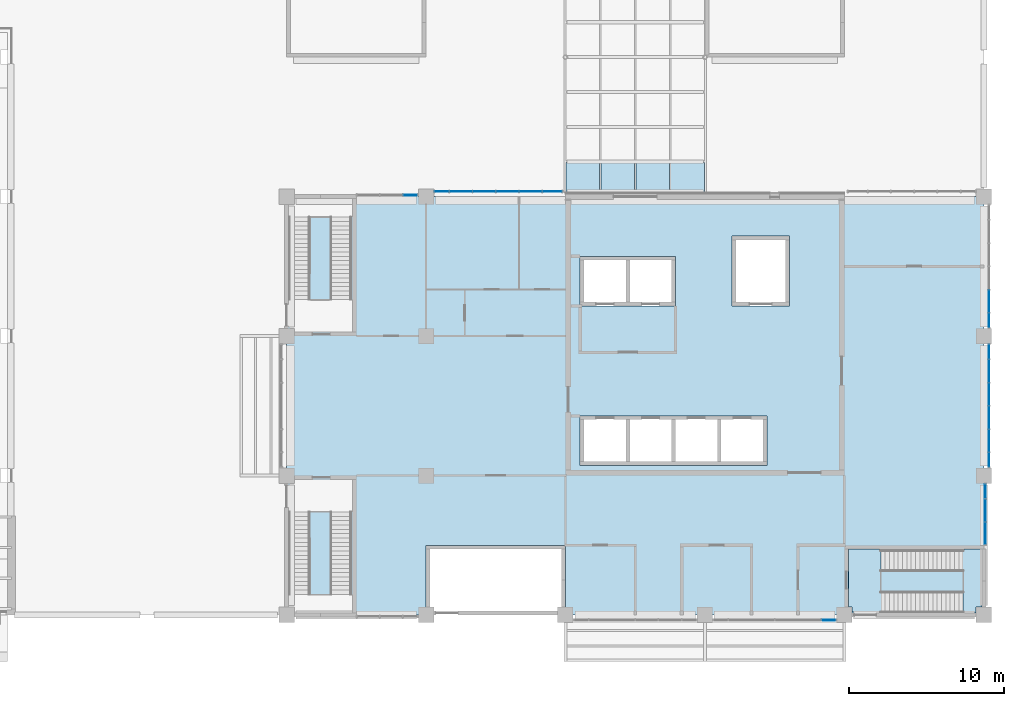
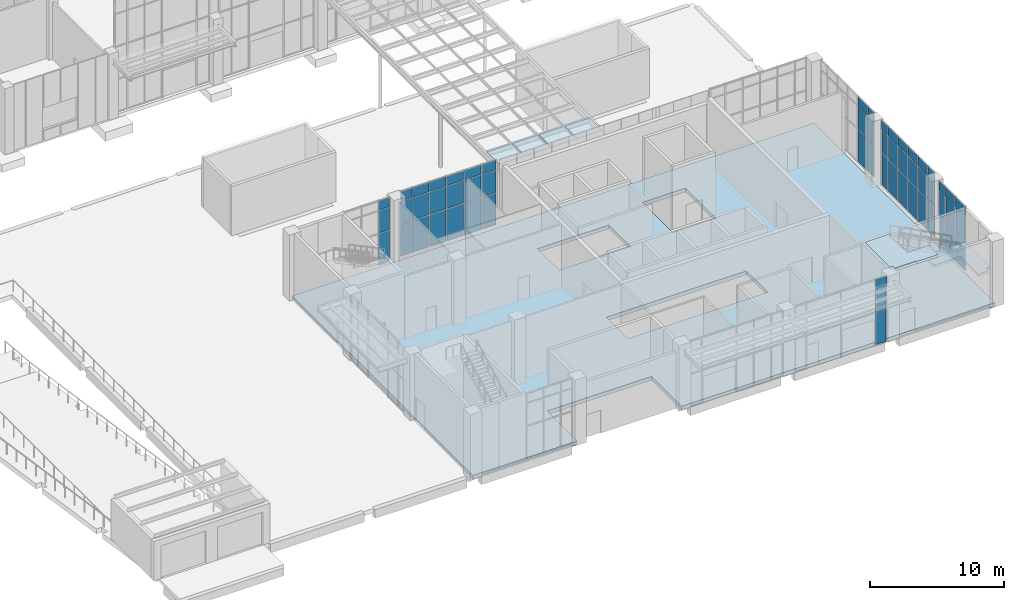
# One storey, part 47 of 86: 61 plates, 3 slabs, 7 elements without a shape of their own.
"""IFC4 building model written with IfcOpenShell, lengths in metres."""

from ifc_helpers import new_model, si_unit, direction, frame, origin, origin_2d, place, context, subcontext, project, spatial, polyline, rectangle, outline, extrude, material, layer, layer_set, type_object, element, aggregate, save


model = new_model("IFC4")

# Units and contexts
model_context = context("Model", 3, precision=1e-05, world=origin(), true_north=direction((0.0, 1.0)))
body_context = subcontext(model_context, "Body", "Model", "MODEL_VIEW")
ifc_project = project(units=[si_unit("LENGTHUNIT", "METRE"), si_unit("AREAUNIT", "SQUARE_METRE"), si_unit("VOLUMEUNIT", "CUBIC_METRE"), si_unit("PLANEANGLEUNIT", "RADIAN"), si_unit("MASSUNIT", "GRAM", prefix="KILO")], contexts=[model_context])

# Site, building, storey
site_placement = place(None, origin())
site = spatial("IfcSite", under=ifc_project, at=site_placement, CompositionType="ELEMENT")
building_placement = place(site_placement, origin())
building = spatial("IfcBuilding", under=site, at=building_placement, Name="Guidao Yard Department Store", CompositionType="ELEMENT")
storey_placement = place(building_placement, origin())
storey = spatial("IfcBuildingStorey", under=building, at=storey_placement, Name="L00", CompositionType="ELEMENT", Elevation=0.0)

# Plates
ifc_material_1 = material(Name="Laminated glass", Category="glass")
ifc_layer_1 = layer(ifc_material_1, 0.021484375)
ifc_layer_set_1 = layer_set([ifc_layer_1], Name="Canopy glass CG1 laminated 10+10")
plate_type_1 = type_object("IfcPlateType", Name="Canopy glass CG1 laminated 10+10", PredefinedType="SHEET", material=ifc_layer_set_1)
for number, where, z_axis, x_axis, name in (
    (1, (145.125, 28.25, 5.449951171875), (0.0, 0.0, 1.0), (1.0, 0.0, 0.0), "Yard walkway glazing 1.1"),
    (2, (147.375, 28.25, 5.449951171875), (0.0, 0.0, 1.0), (1.0, 0.0, 0.0), "Yard walkway glazing 2.1"),
    (3, (149.625, 28.25, 5.449951171875), (0.0, 0.0, 1.0), (1.0, 0.0, 0.0), "Yard walkway glazing 3.1"),
    (4, (151.875, 28.25, 5.449951171875), (0.0, 0.0, 1.0), (1.0, 0.0, 0.0), "Yard walkway glazing 4.1"),
):
    element("IfcPlate", number, at=place(storey_placement, frame(where, z_axis=z_axis, x_axis=x_axis)), inside=storey, type_object=plate_type_1, Name=name, PredefinedType="SHEET", context=body_context, shape_type="SweptSolid", body=[
        extrude(rectangle(XDim=2.169921875, YDim=1.919921875, at=origin_2d()), origin(), (0.0, 0.0, 1.0), 0.021484375),
    ])

# Slab
ifc_material_2 = material(Name="Concrete C35", Category="concrete")
ifc_layer_2 = layer(ifc_material_2, 0.35009765625)
ifc_layer_set_2 = layer_set([ifc_layer_2], Name="Flat slab 350 C35")
slab_type_1 = type_object("IfcSlabType", Name="Flat slab 350 C35", PredefinedType="FLOOR", material=ifc_layer_set_2)
slab_1_placement = place(storey_placement, frame((0.0, 0.0, -0.35009765625)))
element("IfcSlab", 5, at=slab_1_placement, inside=storey, type_object=slab_type_1, Name="Slab L00-O", PredefinedType="FLOOR", context=body_context, shape_type="SweptSolid", body=[
    extrude(outline(polyline([(126.0, 27.0), (171.0, 27.0), (171.0, 0.0), (144.0, 0.0), (144.0, 4.5), (135.0, 4.5), (135.0, 0.0), (126.0, 0.0), (126.0, 27.0)]), holes=[polyline([(148.14990234375, 12.85009765625), (147.89990234375, 12.85009765625), (144.949951171875, 12.85009765625), (144.949951171875, 9.64990234375), (147.89990234375, 9.64990234375), (148.14990234375, 9.64990234375), (150.85009765625, 9.64990234375), (151.10009765625, 9.64990234375), (153.800048828125, 9.64990234375), (154.050048828125, 9.64990234375), (157.0, 9.64990234375), (157.0, 12.85009765625), (154.050048828125, 12.85009765625), (153.800048828125, 12.85009765625), (151.10009765625, 12.85009765625), (150.85009765625, 12.85009765625), (148.14990234375, 12.85009765625)]), polyline([(147.89990234375, 19.949951171875), (148.14990234375, 19.949951171875), (151.10009765625, 19.949951171875), (151.10009765625, 23.14990234375), (148.14990234375, 23.14990234375), (147.89990234375, 23.14990234375), (144.949951171875, 23.14990234375), (144.949951171875, 19.949951171875), (147.89990234375, 19.949951171875)]), polyline([(154.75, 19.949951171875), (158.449951171875, 19.949951171875), (158.449951171875, 24.449951171875), (154.75, 24.449951171875), (154.75, 19.949951171875)])]), origin(), (0.0, 0.0, 1.0), 0.35009765625),
])

# Curtain wall, plate
ifc_material_3 = material(Name="Aluminium and glass", Category="aluminium")
ifc_layer_3 = layer(ifc_material_3, 0.159912109375)
ifc_layer_set_3 = layer_set([ifc_layer_3], Name="Unitised curtain wall CW4 1500 module")
curtain_wall_type = type_object("IfcCurtainWallType", Name="Unitised curtain wall CW4 1500 module", PredefinedType="NOTDEFINED", material=ifc_layer_set_3)
curtain_wall_1_placement = place(storey_placement, origin())
curtain_wall_1 = element("IfcCurtainWall", 6, at=curtain_wall_1_placement, inside=storey, type_object=curtain_wall_type, Name="Unitised curtain wall", PredefinedType="NOTDEFINED")
ifc_material_4 = material(Name="Aluminium 6063-T5 faced insulated spandrel", Category="aluminium")
ifc_layer_4 = layer(ifc_material_4, 0.06005859375)
ifc_layer_set_4 = layer_set([ifc_layer_4], Name="Spandrel panel SP1 insulated opaque")
plate_type_2 = type_object("IfcPlateType", Name="Spandrel panel SP1 insulated opaque", PredefinedType="CURTAIN_PANEL", material=ifc_layer_set_4)
plate_1_placement = place(storey_placement, frame((160.985107421875, -0.330078125, 5.1298828125), z_axis=(0.0, 0.0, 1.0), x_axis=(-1.0, 0.0, 0.0)))
plate_1 = element("IfcPlate", 7, at=plate_1_placement, type_object=plate_type_2, Name="CW-OW-L00-03 panel 4.3", PredefinedType="CURTAIN_PANEL", context=body_context, shape_type="SweptSolid", body=[
    extrude(rectangle(XDim=0.909912109375, YDim=0.06005859375, at=origin_2d()), origin(), (0.0, 0.0, 1.0), 0.81005859375),
])

curtain_wall_2_placement = place(storey_placement, origin())
curtain_wall_2 = element("IfcCurtainWall", 8, at=curtain_wall_2_placement, inside=storey, type_object=curtain_wall_type, Name="Unitised curtain wall", PredefinedType="NOTDEFINED")
plate_2_placement = place(storey_placement, frame((133.985107421875, 27.10009765625, 5.1298828125), z_axis=(0.0, 0.0, 1.0), x_axis=(1.0, 0.0, 0.0)))
plate_2 = element("IfcPlate", 9, at=plate_2_placement, type_object=plate_type_2, Name="CW-OW-L00-05 panel 3.3", PredefinedType="CURTAIN_PANEL", context=body_context, shape_type="SweptSolid", body=[
    extrude(rectangle(XDim=0.909912109375, YDim=0.06005859375, at=origin_2d()), origin(), (0.0, 0.0, 1.0), 0.81005859375),
])

# Curtain wall, plates
curtain_wall_3_placement = place(storey_placement, origin())
curtain_wall_3 = element("IfcCurtainWall", 10, at=curtain_wall_3_placement, inside=storey, type_object=curtain_wall_type, Name="Unitised curtain wall", PredefinedType="NOTDEFINED")
plate_3_placement = place(storey_placement, frame((136.014892578125, 27.330078125, 5.1298828125), z_axis=(0.0, 0.0, 1.0), x_axis=(1.0, 0.0, 0.0)))
plate_3 = element("IfcPlate", 11, at=plate_3_placement, type_object=plate_type_2, Name="CW-OW-L00-06 panel 1.3", PredefinedType="CURTAIN_PANEL", context=body_context, shape_type="SweptSolid", body=[
    extrude(rectangle(XDim=0.909912109375, YDim=0.06005859375, at=origin_2d()), origin(), (0.0, 0.0, 1.0), 0.81005859375),
])
plate_4_placement = place(storey_placement, frame((137.25, 27.330078125, 5.1298828125), z_axis=(0.0, 0.0, 1.0), x_axis=(1.0, 0.0, 0.0)))
plate_4 = element("IfcPlate", 12, at=plate_4_placement, type_object=plate_type_2, Name="CW-OW-L00-06 panel 2.3", PredefinedType="CURTAIN_PANEL", context=body_context, shape_type="SweptSolid", body=[
    extrude(rectangle(XDim=1.43994140625, YDim=0.06005859375, at=origin_2d()), origin(), (0.0, 0.0, 1.0), 0.81005859375),
])
plate_5_placement = place(storey_placement, frame((138.75, 27.330078125, 5.1298828125), z_axis=(0.0, 0.0, 1.0), x_axis=(1.0, 0.0, 0.0)))
plate_5 = element("IfcPlate", 13, at=plate_5_placement, type_object=plate_type_2, Name="CW-OW-L00-06 panel 3.3", PredefinedType="CURTAIN_PANEL", context=body_context, shape_type="SweptSolid", body=[
    extrude(rectangle(XDim=1.43994140625, YDim=0.06005859375, at=origin_2d()), origin(), (0.0, 0.0, 1.0), 0.81005859375),
])
plate_6_placement = place(storey_placement, frame((140.25, 27.330078125, 5.1298828125), z_axis=(0.0, 0.0, 1.0), x_axis=(1.0, 0.0, 0.0)))
plate_6 = element("IfcPlate", 14, at=plate_6_placement, type_object=plate_type_2, Name="CW-OW-L00-06 panel 4.3", PredefinedType="CURTAIN_PANEL", context=body_context, shape_type="SweptSolid", body=[
    extrude(rectangle(XDim=1.43994140625, YDim=0.06005859375, at=origin_2d()), origin(), (0.0, 0.0, 1.0), 0.81005859375),
])
plate_7_placement = place(storey_placement, frame((141.75, 27.330078125, 5.1298828125), z_axis=(0.0, 0.0, 1.0), x_axis=(1.0, 0.0, 0.0)))
plate_7 = element("IfcPlate", 15, at=plate_7_placement, type_object=plate_type_2, Name="CW-OW-L00-06 panel 5.3", PredefinedType="CURTAIN_PANEL", context=body_context, shape_type="SweptSolid", body=[
    extrude(rectangle(XDim=1.43994140625, YDim=0.06005859375, at=origin_2d()), origin(), (0.0, 0.0, 1.0), 0.81005859375),
])
plate_8_placement = place(storey_placement, frame((143.1474609375, 27.330078125, 5.1298828125), z_axis=(0.0, 0.0, 1.0), x_axis=(1.0, 0.0, 0.0)))
plate_8 = element("IfcPlate", 16, at=plate_8_placement, type_object=plate_type_2, Name="CW-OW-L00-06 panel 6.3", PredefinedType="CURTAIN_PANEL", context=body_context, shape_type="SweptSolid", body=[
    extrude(rectangle(XDim=1.235107421875, YDim=0.06005859375, at=origin_2d()), origin(), (0.0, 0.0, 1.0), 0.81005859375),
])

curtain_wall_4_placement = place(storey_placement, origin())
curtain_wall_4 = element("IfcCurtainWall", 17, at=curtain_wall_4_placement, inside=storey, type_object=curtain_wall_type, Name="Unitised curtain wall", PredefinedType="NOTDEFINED")
plate_9_placement = place(storey_placement, frame((171.10009765625, 5.264892578125, 5.1298828125), z_axis=(0.0, 0.0, 1.0), x_axis=(0.0, -1.0, 0.0)))
plate_9 = element("IfcPlate", 18, at=plate_9_placement, type_object=plate_type_2, Name="CW-OW-L00-08 panel 1.3", PredefinedType="CURTAIN_PANEL", context=body_context, shape_type="SweptSolid", body=[
    extrude(rectangle(XDim=1.409912109375, YDim=0.06005859375, at=origin_2d()), origin(), (0.0, 0.0, 1.0), 0.81005859375),
])
plate_10_placement = place(storey_placement, frame((171.10009765625, 6.75, 5.1298828125), z_axis=(0.0, 0.0, 1.0), x_axis=(0.0, -1.0, 0.0)))
plate_10 = element("IfcPlate", 19, at=plate_10_placement, type_object=plate_type_2, Name="CW-OW-L00-08 panel 2.3", PredefinedType="CURTAIN_PANEL", context=body_context, shape_type="SweptSolid", body=[
    extrude(rectangle(XDim=1.43994140625, YDim=0.06005859375, at=origin_2d()), origin(), (0.0, 0.0, 1.0), 0.81005859375),
])
plate_11_placement = place(storey_placement, frame((171.10009765625, 7.985107421875, 5.1298828125), z_axis=(0.0, 0.0, 1.0), x_axis=(0.0, -1.0, 0.0)))
plate_11 = element("IfcPlate", 20, at=plate_11_placement, type_object=plate_type_2, Name="CW-OW-L00-08 panel 3.3", PredefinedType="CURTAIN_PANEL", context=body_context, shape_type="SweptSolid", body=[
    extrude(rectangle(XDim=0.909912109375, YDim=0.06005859375, at=origin_2d()), origin(), (0.0, 0.0, 1.0), 0.81005859375),
])

curtain_wall_5_placement = place(storey_placement, origin())
curtain_wall_5 = element("IfcCurtainWall", 21, at=curtain_wall_5_placement, inside=storey, type_object=curtain_wall_type, Name="Unitised curtain wall", PredefinedType="NOTDEFINED")
plate_12_placement = place(storey_placement, frame((171.330078125, 10.014892578125, 5.1298828125), z_axis=(0.0, 0.0, 1.0), x_axis=(0.0, -1.0, 0.0)))
plate_12 = element("IfcPlate", 22, at=plate_12_placement, type_object=plate_type_2, Name="CW-OW-L00-09 panel 1.3", PredefinedType="CURTAIN_PANEL", context=body_context, shape_type="SweptSolid", body=[
    extrude(rectangle(XDim=0.909912109375, YDim=0.06005859375, at=origin_2d()), origin(), (0.0, 0.0, 1.0), 0.81005859375),
])
plate_13_placement = place(storey_placement, frame((171.330078125, 11.25, 5.1298828125), z_axis=(0.0, 0.0, 1.0), x_axis=(0.0, -1.0, 0.0)))
plate_13 = element("IfcPlate", 23, at=plate_13_placement, type_object=plate_type_2, Name="CW-OW-L00-09 panel 2.3", PredefinedType="CURTAIN_PANEL", context=body_context, shape_type="SweptSolid", body=[
    extrude(rectangle(XDim=1.43994140625, YDim=0.06005859375, at=origin_2d()), origin(), (0.0, 0.0, 1.0), 0.81005859375),
])
plate_14_placement = place(storey_placement, frame((171.330078125, 12.75, 5.1298828125), z_axis=(0.0, 0.0, 1.0), x_axis=(0.0, -1.0, 0.0)))
plate_14 = element("IfcPlate", 24, at=plate_14_placement, type_object=plate_type_2, Name="CW-OW-L00-09 panel 3.3", PredefinedType="CURTAIN_PANEL", context=body_context, shape_type="SweptSolid", body=[
    extrude(rectangle(XDim=1.43994140625, YDim=0.06005859375, at=origin_2d()), origin(), (0.0, 0.0, 1.0), 0.81005859375),
])
plate_15_placement = place(storey_placement, frame((171.330078125, 14.25, 5.1298828125), z_axis=(0.0, 0.0, 1.0), x_axis=(0.0, -1.0, 0.0)))
plate_15 = element("IfcPlate", 25, at=plate_15_placement, type_object=plate_type_2, Name="CW-OW-L00-09 panel 4.3", PredefinedType="CURTAIN_PANEL", context=body_context, shape_type="SweptSolid", body=[
    extrude(rectangle(XDim=1.43994140625, YDim=0.06005859375, at=origin_2d()), origin(), (0.0, 0.0, 1.0), 0.81005859375),
])
plate_16_placement = place(storey_placement, frame((171.330078125, 15.75, 5.1298828125), z_axis=(0.0, 0.0, 1.0), x_axis=(0.0, -1.0, 0.0)))
plate_16 = element("IfcPlate", 26, at=plate_16_placement, type_object=plate_type_2, Name="CW-OW-L00-09 panel 5.3", PredefinedType="CURTAIN_PANEL", context=body_context, shape_type="SweptSolid", body=[
    extrude(rectangle(XDim=1.43994140625, YDim=0.06005859375, at=origin_2d()), origin(), (0.0, 0.0, 1.0), 0.81005859375),
])
plate_17_placement = place(storey_placement, frame((171.330078125, 16.985107421875, 5.1298828125), z_axis=(0.0, 0.0, 1.0), x_axis=(0.0, -1.0, 0.0)))
plate_17 = element("IfcPlate", 27, at=plate_17_placement, type_object=plate_type_2, Name="CW-OW-L00-09 panel 6.3", PredefinedType="CURTAIN_PANEL", context=body_context, shape_type="SweptSolid", body=[
    extrude(rectangle(XDim=0.909912109375, YDim=0.06005859375, at=origin_2d()), origin(), (0.0, 0.0, 1.0), 0.81005859375),
])

curtain_wall_6_placement = place(storey_placement, origin())
curtain_wall_6 = element("IfcCurtainWall", 28, at=curtain_wall_6_placement, inside=storey, type_object=curtain_wall_type, Name="Unitised curtain wall", PredefinedType="NOTDEFINED")
plate_18_placement = place(storey_placement, frame((171.330078125, 19.014892578125, 5.1298828125), z_axis=(0.0, 0.0, 1.0), x_axis=(0.0, -1.0, 0.0)))
plate_18 = element("IfcPlate", 29, at=plate_18_placement, type_object=plate_type_2, Name="CW-OW-L00-10 panel 1.3", PredefinedType="CURTAIN_PANEL", context=body_context, shape_type="SweptSolid", body=[
    extrude(rectangle(XDim=0.909912109375, YDim=0.06005859375, at=origin_2d()), origin(), (0.0, 0.0, 1.0), 0.81005859375),
])
plate_19_placement = place(storey_placement, frame((171.330078125, 20.25, 5.1298828125), z_axis=(0.0, 0.0, 1.0), x_axis=(0.0, -1.0, 0.0)))
plate_19 = element("IfcPlate", 30, at=plate_19_placement, type_object=plate_type_2, Name="CW-OW-L00-10 panel 2.3", PredefinedType="CURTAIN_PANEL", context=body_context, shape_type="SweptSolid", body=[
    extrude(rectangle(XDim=1.43994140625, YDim=0.06005859375, at=origin_2d()), origin(), (0.0, 0.0, 1.0), 0.81005859375),
])

# Stair, slabs
ifc_material_5 = material(Name="Concrete C35", Category="concrete")
stair_type = type_object("IfcStairType", Name="Stair half-turn two-flight 1400 wide 6.0 m rise", PredefinedType="HALF_TURN_STAIR", material=ifc_material_5)
stair_placement = place(storey_placement, origin())
stair = element("IfcStair", 31, at=stair_placement, inside=storey, type_object=stair_type, Name="Stair O2 L00 to L01", PredefinedType="HALF_TURN_STAIR")
ifc_material_6 = material(Name="Concrete C35", Category="concrete")
ifc_layer_5 = layer(ifc_material_6, 0.25)
ifc_layer_set_5 = layer_set([ifc_layer_5], Name="Stair landing RC 250 C35")
slab_type_2 = type_object("IfcSlabType", Name="Stair landing RC 250 C35", PredefinedType="LANDING", material=ifc_layer_set_5)
slab_2_placement = place(storey_placement, frame((0.0, 0.0, 2.75)))
slab_2 = element("IfcSlab", 32, at=slab_2_placement, type_object=slab_type_2, Name="SO2-L00 landing 1", PredefinedType="LANDING", context=body_context, shape_type="SweptSolid", body=[
    extrude(outline(polyline([(169.669921875, 1.52490234375), (169.669921875, 2.800048828125), (167.39208984375, 2.800048828125), (167.39208984375, 4.199951171875), (169.669921875, 4.199951171875), (169.669921875, 4.25), (170.875, 4.25), (170.875, 0.5), (170.5, 0.5), (170.5, 0.125), (169.669921875, 0.125), (169.659912109375, 0.125), (169.659912109375, 1.52490234375), (169.669921875, 1.52490234375)])), origin(), (0.0, 0.0, 1.0), 0.25),
])
slab_3_placement = place(storey_placement, frame((0.0, 0.0, 5.75)))
slab_3 = element("IfcSlab", 33, at=slab_3_placement, type_object=slab_type_2, Name="SO2-L00 landing 2", PredefinedType="LANDING", context=body_context, shape_type="SweptSolid", body=[
    extrude(outline(polyline([(164.35009765625, 0.125), (164.35009765625, 0.199951171875), (162.5, 0.199951171875), (162.5, 0.5), (162.25, 0.5), (162.25, 2.800048828125), (162.25, 4.25), (164.360107421875, 4.25), (164.360107421875, 2.800048828125), (164.35009765625, 2.800048828125), (164.35009765625, 1.52490234375), (166.179931640625, 1.52490234375), (166.179931640625, 0.125), (164.35009765625, 0.125)])), origin(), (0.0, 0.0, 1.0), 0.25),
])
aggregate(stair, [slab_2, slab_3])

# Plate
ifc_material_7 = material(Name="Laminated heat-soaked tempered glass", Category="glass")
ifc_layer_6 = layer(ifc_material_7, 0.017578125)
ifc_layer_set_6 = layer_set([ifc_layer_6], Name="Vision glass VG1 laminated heat-soaked tempered 8+8")
plate_type_3 = type_object("IfcPlateType", Name="Vision glass VG1 laminated heat-soaked tempered 8+8", PredefinedType="CURTAIN_PANEL", material=ifc_layer_set_6)
plate_20_placement = place(storey_placement, frame((160.985107421875, -0.330078125, 0.06005859375), z_axis=(0.0, 0.0, 1.0), x_axis=(-1.0, 0.0, 0.0)))
plate_20 = element("IfcPlate", 34, at=plate_20_placement, type_object=plate_type_3, Name="CW-OW-L00-03 panel 4.1", PredefinedType="CURTAIN_PANEL", context=body_context, shape_type="SweptSolid", body=[
    extrude(rectangle(XDim=0.909912109375, YDim=0.017578125, at=origin_2d()), origin(), (0.0, 0.0, 1.0), 2.909912109375),
])

plate_21_placement = place(storey_placement, frame((160.985107421875, -0.330078125, 3.030029296875), z_axis=(0.0, 0.0, 1.0), x_axis=(-1.0, 0.0, 0.0)))
plate_21 = element("IfcPlate", 35, at=plate_21_placement, type_object=plate_type_3, Name="CW-OW-L00-03 panel 4.2", PredefinedType="CURTAIN_PANEL", context=body_context, shape_type="SweptSolid", body=[
    extrude(rectangle(XDim=0.909912109375, YDim=0.017578125, at=origin_2d()), origin(), (0.0, 0.0, 1.0), 2.0400390625),
])

aggregate(curtain_wall_1, [plate_20, plate_21, plate_1])

plate_22_placement = place(storey_placement, frame((133.985107421875, 27.10009765625, 0.06005859375), z_axis=(0.0, 0.0, 1.0), x_axis=(1.0, 0.0, 0.0)))
plate_22 = element("IfcPlate", 36, at=plate_22_placement, type_object=plate_type_3, Name="CW-OW-L00-05 panel 3.1", PredefinedType="CURTAIN_PANEL", context=body_context, shape_type="SweptSolid", body=[
    extrude(rectangle(XDim=0.909912109375, YDim=0.017578125, at=origin_2d()), origin(), (0.0, 0.0, 1.0), 2.909912109375),
])

plate_23_placement = place(storey_placement, frame((133.985107421875, 27.10009765625, 3.030029296875), z_axis=(0.0, 0.0, 1.0), x_axis=(1.0, 0.0, 0.0)))
plate_23 = element("IfcPlate", 37, at=plate_23_placement, type_object=plate_type_3, Name="CW-OW-L00-05 panel 3.2", PredefinedType="CURTAIN_PANEL", context=body_context, shape_type="SweptSolid", body=[
    extrude(rectangle(XDim=0.909912109375, YDim=0.017578125, at=origin_2d()), origin(), (0.0, 0.0, 1.0), 2.0400390625),
])

aggregate(curtain_wall_2, [plate_22, plate_23, plate_2])

plate_24_placement = place(storey_placement, frame((136.014892578125, 27.330078125, 0.06005859375), z_axis=(0.0, 0.0, 1.0), x_axis=(1.0, 0.0, 0.0)))
plate_24 = element("IfcPlate", 38, at=plate_24_placement, type_object=plate_type_3, Name="CW-OW-L00-06 panel 1.1", PredefinedType="CURTAIN_PANEL", context=body_context, shape_type="SweptSolid", body=[
    extrude(rectangle(XDim=0.909912109375, YDim=0.017578125, at=origin_2d()), origin(), (0.0, 0.0, 1.0), 2.909912109375),
])

plate_25_placement = place(storey_placement, frame((136.014892578125, 27.330078125, 3.030029296875), z_axis=(0.0, 0.0, 1.0), x_axis=(1.0, 0.0, 0.0)))
plate_25 = element("IfcPlate", 39, at=plate_25_placement, type_object=plate_type_3, Name="CW-OW-L00-06 panel 1.2", PredefinedType="CURTAIN_PANEL", context=body_context, shape_type="SweptSolid", body=[
    extrude(rectangle(XDim=0.909912109375, YDim=0.017578125, at=origin_2d()), origin(), (0.0, 0.0, 1.0), 2.0400390625),
])

plate_26_placement = place(storey_placement, frame((137.25, 27.330078125, 0.06005859375), z_axis=(0.0, 0.0, 1.0), x_axis=(1.0, 0.0, 0.0)))
plate_26 = element("IfcPlate", 40, at=plate_26_placement, type_object=plate_type_3, Name="CW-OW-L00-06 panel 2.1", PredefinedType="CURTAIN_PANEL", context=body_context, shape_type="SweptSolid", body=[
    extrude(rectangle(XDim=1.43994140625, YDim=0.017578125, at=origin_2d()), origin(), (0.0, 0.0, 1.0), 2.909912109375),
])

plate_27_placement = place(storey_placement, frame((137.25, 27.330078125, 3.030029296875), z_axis=(0.0, 0.0, 1.0), x_axis=(1.0, 0.0, 0.0)))
plate_27 = element("IfcPlate", 41, at=plate_27_placement, type_object=plate_type_3, Name="CW-OW-L00-06 panel 2.2", PredefinedType="CURTAIN_PANEL", context=body_context, shape_type="SweptSolid", body=[
    extrude(rectangle(XDim=1.43994140625, YDim=0.017578125, at=origin_2d()), origin(), (0.0, 0.0, 1.0), 2.0400390625),
])

plate_28_placement = place(storey_placement, frame((138.75, 27.330078125, 0.06005859375), z_axis=(0.0, 0.0, 1.0), x_axis=(1.0, 0.0, 0.0)))
plate_28 = element("IfcPlate", 42, at=plate_28_placement, type_object=plate_type_3, Name="CW-OW-L00-06 panel 3.1", PredefinedType="CURTAIN_PANEL", context=body_context, shape_type="SweptSolid", body=[
    extrude(rectangle(XDim=1.43994140625, YDim=0.017578125, at=origin_2d()), origin(), (0.0, 0.0, 1.0), 2.909912109375),
])

plate_29_placement = place(storey_placement, frame((138.75, 27.330078125, 3.030029296875), z_axis=(0.0, 0.0, 1.0), x_axis=(1.0, 0.0, 0.0)))
plate_29 = element("IfcPlate", 43, at=plate_29_placement, type_object=plate_type_3, Name="CW-OW-L00-06 panel 3.2", PredefinedType="CURTAIN_PANEL", context=body_context, shape_type="SweptSolid", body=[
    extrude(rectangle(XDim=1.43994140625, YDim=0.017578125, at=origin_2d()), origin(), (0.0, 0.0, 1.0), 2.0400390625),
])

plate_30_placement = place(storey_placement, frame((140.25, 27.330078125, 0.06005859375), z_axis=(0.0, 0.0, 1.0), x_axis=(1.0, 0.0, 0.0)))
plate_30 = element("IfcPlate", 44, at=plate_30_placement, type_object=plate_type_3, Name="CW-OW-L00-06 panel 4.1", PredefinedType="CURTAIN_PANEL", context=body_context, shape_type="SweptSolid", body=[
    extrude(rectangle(XDim=1.43994140625, YDim=0.017578125, at=origin_2d()), origin(), (0.0, 0.0, 1.0), 2.909912109375),
])

plate_31_placement = place(storey_placement, frame((140.25, 27.330078125, 3.030029296875), z_axis=(0.0, 0.0, 1.0), x_axis=(1.0, 0.0, 0.0)))
plate_31 = element("IfcPlate", 45, at=plate_31_placement, type_object=plate_type_3, Name="CW-OW-L00-06 panel 4.2", PredefinedType="CURTAIN_PANEL", context=body_context, shape_type="SweptSolid", body=[
    extrude(rectangle(XDim=1.43994140625, YDim=0.017578125, at=origin_2d()), origin(), (0.0, 0.0, 1.0), 2.0400390625),
])

plate_32_placement = place(storey_placement, frame((141.75, 27.330078125, 0.06005859375), z_axis=(0.0, 0.0, 1.0), x_axis=(1.0, 0.0, 0.0)))
plate_32 = element("IfcPlate", 46, at=plate_32_placement, type_object=plate_type_3, Name="CW-OW-L00-06 panel 5.1", PredefinedType="CURTAIN_PANEL", context=body_context, shape_type="SweptSolid", body=[
    extrude(rectangle(XDim=1.43994140625, YDim=0.017578125, at=origin_2d()), origin(), (0.0, 0.0, 1.0), 2.909912109375),
])

plate_33_placement = place(storey_placement, frame((141.75, 27.330078125, 3.030029296875), z_axis=(0.0, 0.0, 1.0), x_axis=(1.0, 0.0, 0.0)))
plate_33 = element("IfcPlate", 47, at=plate_33_placement, type_object=plate_type_3, Name="CW-OW-L00-06 panel 5.2", PredefinedType="CURTAIN_PANEL", context=body_context, shape_type="SweptSolid", body=[
    extrude(rectangle(XDim=1.43994140625, YDim=0.017578125, at=origin_2d()), origin(), (0.0, 0.0, 1.0), 2.0400390625),
])

plate_34_placement = place(storey_placement, frame((143.1474609375, 27.330078125, 0.06005859375), z_axis=(0.0, 0.0, 1.0), x_axis=(1.0, 0.0, 0.0)))
plate_34 = element("IfcPlate", 48, at=plate_34_placement, type_object=plate_type_3, Name="CW-OW-L00-06 panel 6.1", PredefinedType="CURTAIN_PANEL", context=body_context, shape_type="SweptSolid", body=[
    extrude(rectangle(XDim=1.235107421875, YDim=0.017578125, at=origin_2d()), origin(), (0.0, 0.0, 1.0), 2.909912109375),
])

plate_35_placement = place(storey_placement, frame((143.1474609375, 27.330078125, 3.030029296875), z_axis=(0.0, 0.0, 1.0), x_axis=(1.0, 0.0, 0.0)))
plate_35 = element("IfcPlate", 49, at=plate_35_placement, type_object=plate_type_3, Name="CW-OW-L00-06 panel 6.2", PredefinedType="CURTAIN_PANEL", context=body_context, shape_type="SweptSolid", body=[
    extrude(rectangle(XDim=1.235107421875, YDim=0.017578125, at=origin_2d()), origin(), (0.0, 0.0, 1.0), 2.0400390625),
])

aggregate(curtain_wall_3, [plate_24, plate_25, plate_3, plate_26, plate_27, plate_4, plate_28, plate_29, plate_5, plate_30, plate_31, plate_6, plate_32, plate_33, plate_7, plate_34, plate_35, plate_8])

plate_36_placement = place(storey_placement, frame((171.10009765625, 5.264892578125, 0.06005859375), z_axis=(0.0, 0.0, 1.0), x_axis=(0.0, -1.0, 0.0)))
plate_36 = element("IfcPlate", 50, at=plate_36_placement, type_object=plate_type_3, Name="CW-OW-L00-08 panel 1.1", PredefinedType="CURTAIN_PANEL", context=body_context, shape_type="SweptSolid", body=[
    extrude(rectangle(XDim=1.409912109375, YDim=0.017578125, at=origin_2d()), origin(), (0.0, 0.0, 1.0), 2.909912109375),
])

plate_37_placement = place(storey_placement, frame((171.10009765625, 5.264892578125, 3.030029296875), z_axis=(0.0, 0.0, 1.0), x_axis=(0.0, -1.0, 0.0)))
plate_37 = element("IfcPlate", 51, at=plate_37_placement, type_object=plate_type_3, Name="CW-OW-L00-08 panel 1.2", PredefinedType="CURTAIN_PANEL", context=body_context, shape_type="SweptSolid", body=[
    extrude(rectangle(XDim=1.409912109375, YDim=0.017578125, at=origin_2d()), origin(), (0.0, 0.0, 1.0), 2.0400390625),
])

plate_38_placement = place(storey_placement, frame((171.10009765625, 6.75, 0.06005859375), z_axis=(0.0, 0.0, 1.0), x_axis=(0.0, -1.0, 0.0)))
plate_38 = element("IfcPlate", 52, at=plate_38_placement, type_object=plate_type_3, Name="CW-OW-L00-08 panel 2.1", PredefinedType="CURTAIN_PANEL", context=body_context, shape_type="SweptSolid", body=[
    extrude(rectangle(XDim=1.43994140625, YDim=0.017578125, at=origin_2d()), origin(), (0.0, 0.0, 1.0), 2.909912109375),
])

plate_39_placement = place(storey_placement, frame((171.10009765625, 6.75, 3.030029296875), z_axis=(0.0, 0.0, 1.0), x_axis=(0.0, -1.0, 0.0)))
plate_39 = element("IfcPlate", 53, at=plate_39_placement, type_object=plate_type_3, Name="CW-OW-L00-08 panel 2.2", PredefinedType="CURTAIN_PANEL", context=body_context, shape_type="SweptSolid", body=[
    extrude(rectangle(XDim=1.43994140625, YDim=0.017578125, at=origin_2d()), origin(), (0.0, 0.0, 1.0), 2.0400390625),
])

plate_40_placement = place(storey_placement, frame((171.10009765625, 7.985107421875, 0.06005859375), z_axis=(0.0, 0.0, 1.0), x_axis=(0.0, -1.0, 0.0)))
plate_40 = element("IfcPlate", 54, at=plate_40_placement, type_object=plate_type_3, Name="CW-OW-L00-08 panel 3.1", PredefinedType="CURTAIN_PANEL", context=body_context, shape_type="SweptSolid", body=[
    extrude(rectangle(XDim=0.909912109375, YDim=0.017578125, at=origin_2d()), origin(), (0.0, 0.0, 1.0), 2.909912109375),
])

plate_41_placement = place(storey_placement, frame((171.10009765625, 7.985107421875, 3.030029296875), z_axis=(0.0, 0.0, 1.0), x_axis=(0.0, -1.0, 0.0)))
plate_41 = element("IfcPlate", 55, at=plate_41_placement, type_object=plate_type_3, Name="CW-OW-L00-08 panel 3.2", PredefinedType="CURTAIN_PANEL", context=body_context, shape_type="SweptSolid", body=[
    extrude(rectangle(XDim=0.909912109375, YDim=0.017578125, at=origin_2d()), origin(), (0.0, 0.0, 1.0), 2.0400390625),
])

aggregate(curtain_wall_4, [plate_36, plate_37, plate_9, plate_38, plate_39, plate_10, plate_40, plate_41, plate_11])

plate_42_placement = place(storey_placement, frame((171.330078125, 10.014892578125, 0.06005859375), z_axis=(0.0, 0.0, 1.0), x_axis=(0.0, -1.0, 0.0)))
plate_42 = element("IfcPlate", 56, at=plate_42_placement, type_object=plate_type_3, Name="CW-OW-L00-09 panel 1.1", PredefinedType="CURTAIN_PANEL", context=body_context, shape_type="SweptSolid", body=[
    extrude(rectangle(XDim=0.909912109375, YDim=0.017578125, at=origin_2d()), origin(), (0.0, 0.0, 1.0), 2.909912109375),
])

plate_43_placement = place(storey_placement, frame((171.330078125, 10.014892578125, 3.030029296875), z_axis=(0.0, 0.0, 1.0), x_axis=(0.0, -1.0, 0.0)))
plate_43 = element("IfcPlate", 57, at=plate_43_placement, type_object=plate_type_3, Name="CW-OW-L00-09 panel 1.2", PredefinedType="CURTAIN_PANEL", context=body_context, shape_type="SweptSolid", body=[
    extrude(rectangle(XDim=0.909912109375, YDim=0.017578125, at=origin_2d()), origin(), (0.0, 0.0, 1.0), 2.0400390625),
])

plate_44_placement = place(storey_placement, frame((171.330078125, 11.25, 0.06005859375), z_axis=(0.0, 0.0, 1.0), x_axis=(0.0, -1.0, 0.0)))
plate_44 = element("IfcPlate", 58, at=plate_44_placement, type_object=plate_type_3, Name="CW-OW-L00-09 panel 2.1", PredefinedType="CURTAIN_PANEL", context=body_context, shape_type="SweptSolid", body=[
    extrude(rectangle(XDim=1.43994140625, YDim=0.017578125, at=origin_2d()), origin(), (0.0, 0.0, 1.0), 2.909912109375),
])

plate_45_placement = place(storey_placement, frame((171.330078125, 11.25, 3.030029296875), z_axis=(0.0, 0.0, 1.0), x_axis=(0.0, -1.0, 0.0)))
plate_45 = element("IfcPlate", 59, at=plate_45_placement, type_object=plate_type_3, Name="CW-OW-L00-09 panel 2.2", PredefinedType="CURTAIN_PANEL", context=body_context, shape_type="SweptSolid", body=[
    extrude(rectangle(XDim=1.43994140625, YDim=0.017578125, at=origin_2d()), origin(), (0.0, 0.0, 1.0), 2.0400390625),
])

plate_46_placement = place(storey_placement, frame((171.330078125, 12.75, 0.06005859375), z_axis=(0.0, 0.0, 1.0), x_axis=(0.0, -1.0, 0.0)))
plate_46 = element("IfcPlate", 60, at=plate_46_placement, type_object=plate_type_3, Name="CW-OW-L00-09 panel 3.1", PredefinedType="CURTAIN_PANEL", context=body_context, shape_type="SweptSolid", body=[
    extrude(rectangle(XDim=1.43994140625, YDim=0.017578125, at=origin_2d()), origin(), (0.0, 0.0, 1.0), 2.909912109375),
])

plate_47_placement = place(storey_placement, frame((171.330078125, 12.75, 3.030029296875), z_axis=(0.0, 0.0, 1.0), x_axis=(0.0, -1.0, 0.0)))
plate_47 = element("IfcPlate", 61, at=plate_47_placement, type_object=plate_type_3, Name="CW-OW-L00-09 panel 3.2", PredefinedType="CURTAIN_PANEL", context=body_context, shape_type="SweptSolid", body=[
    extrude(rectangle(XDim=1.43994140625, YDim=0.017578125, at=origin_2d()), origin(), (0.0, 0.0, 1.0), 2.0400390625),
])

plate_48_placement = place(storey_placement, frame((171.330078125, 14.25, 0.06005859375), z_axis=(0.0, 0.0, 1.0), x_axis=(0.0, -1.0, 0.0)))
plate_48 = element("IfcPlate", 62, at=plate_48_placement, type_object=plate_type_3, Name="CW-OW-L00-09 panel 4.1", PredefinedType="CURTAIN_PANEL", context=body_context, shape_type="SweptSolid", body=[
    extrude(rectangle(XDim=1.43994140625, YDim=0.017578125, at=origin_2d()), origin(), (0.0, 0.0, 1.0), 2.909912109375),
])

plate_49_placement = place(storey_placement, frame((171.330078125, 14.25, 3.030029296875), z_axis=(0.0, 0.0, 1.0), x_axis=(0.0, -1.0, 0.0)))
plate_49 = element("IfcPlate", 63, at=plate_49_placement, type_object=plate_type_3, Name="CW-OW-L00-09 panel 4.2", PredefinedType="CURTAIN_PANEL", context=body_context, shape_type="SweptSolid", body=[
    extrude(rectangle(XDim=1.43994140625, YDim=0.017578125, at=origin_2d()), origin(), (0.0, 0.0, 1.0), 2.0400390625),
])

plate_50_placement = place(storey_placement, frame((171.330078125, 15.75, 0.06005859375), z_axis=(0.0, 0.0, 1.0), x_axis=(0.0, -1.0, 0.0)))
plate_50 = element("IfcPlate", 64, at=plate_50_placement, type_object=plate_type_3, Name="CW-OW-L00-09 panel 5.1", PredefinedType="CURTAIN_PANEL", context=body_context, shape_type="SweptSolid", body=[
    extrude(rectangle(XDim=1.43994140625, YDim=0.017578125, at=origin_2d()), origin(), (0.0, 0.0, 1.0), 2.909912109375),
])

plate_51_placement = place(storey_placement, frame((171.330078125, 15.75, 3.030029296875), z_axis=(0.0, 0.0, 1.0), x_axis=(0.0, -1.0, 0.0)))
plate_51 = element("IfcPlate", 65, at=plate_51_placement, type_object=plate_type_3, Name="CW-OW-L00-09 panel 5.2", PredefinedType="CURTAIN_PANEL", context=body_context, shape_type="SweptSolid", body=[
    extrude(rectangle(XDim=1.43994140625, YDim=0.017578125, at=origin_2d()), origin(), (0.0, 0.0, 1.0), 2.0400390625),
])

plate_52_placement = place(storey_placement, frame((171.330078125, 16.985107421875, 0.06005859375), z_axis=(0.0, 0.0, 1.0), x_axis=(0.0, -1.0, 0.0)))
plate_52 = element("IfcPlate", 66, at=plate_52_placement, type_object=plate_type_3, Name="CW-OW-L00-09 panel 6.1", PredefinedType="CURTAIN_PANEL", context=body_context, shape_type="SweptSolid", body=[
    extrude(rectangle(XDim=0.909912109375, YDim=0.017578125, at=origin_2d()), origin(), (0.0, 0.0, 1.0), 2.909912109375),
])

plate_53_placement = place(storey_placement, frame((171.330078125, 16.985107421875, 3.030029296875), z_axis=(0.0, 0.0, 1.0), x_axis=(0.0, -1.0, 0.0)))
plate_53 = element("IfcPlate", 67, at=plate_53_placement, type_object=plate_type_3, Name="CW-OW-L00-09 panel 6.2", PredefinedType="CURTAIN_PANEL", context=body_context, shape_type="SweptSolid", body=[
    extrude(rectangle(XDim=0.909912109375, YDim=0.017578125, at=origin_2d()), origin(), (0.0, 0.0, 1.0), 2.0400390625),
])

aggregate(curtain_wall_5, [plate_42, plate_43, plate_12, plate_44, plate_45, plate_13, plate_46, plate_47, plate_14, plate_48, plate_49, plate_15, plate_50, plate_51, plate_16, plate_52, plate_53, plate_17])

plate_54_placement = place(storey_placement, frame((171.330078125, 19.014892578125, 0.06005859375), z_axis=(0.0, 0.0, 1.0), x_axis=(0.0, -1.0, 0.0)))
plate_54 = element("IfcPlate", 68, at=plate_54_placement, type_object=plate_type_3, Name="CW-OW-L00-10 panel 1.1", PredefinedType="CURTAIN_PANEL", context=body_context, shape_type="SweptSolid", body=[
    extrude(rectangle(XDim=0.909912109375, YDim=0.017578125, at=origin_2d()), origin(), (0.0, 0.0, 1.0), 2.909912109375),
])

plate_55_placement = place(storey_placement, frame((171.330078125, 19.014892578125, 3.030029296875), z_axis=(0.0, 0.0, 1.0), x_axis=(0.0, -1.0, 0.0)))
plate_55 = element("IfcPlate", 69, at=plate_55_placement, type_object=plate_type_3, Name="CW-OW-L00-10 panel 1.2", PredefinedType="CURTAIN_PANEL", context=body_context, shape_type="SweptSolid", body=[
    extrude(rectangle(XDim=0.909912109375, YDim=0.017578125, at=origin_2d()), origin(), (0.0, 0.0, 1.0), 2.0400390625),
])

plate_56_placement = place(storey_placement, frame((171.330078125, 20.25, 0.06005859375), z_axis=(0.0, 0.0, 1.0), x_axis=(0.0, -1.0, 0.0)))
plate_56 = element("IfcPlate", 70, at=plate_56_placement, type_object=plate_type_3, Name="CW-OW-L00-10 panel 2.1", PredefinedType="CURTAIN_PANEL", context=body_context, shape_type="SweptSolid", body=[
    extrude(rectangle(XDim=1.43994140625, YDim=0.017578125, at=origin_2d()), origin(), (0.0, 0.0, 1.0), 2.909912109375),
])

plate_57_placement = place(storey_placement, frame((171.330078125, 20.25, 3.030029296875), z_axis=(0.0, 0.0, 1.0), x_axis=(0.0, -1.0, 0.0)))
plate_57 = element("IfcPlate", 71, at=plate_57_placement, type_object=plate_type_3, Name="CW-OW-L00-10 panel 2.2", PredefinedType="CURTAIN_PANEL", context=body_context, shape_type="SweptSolid", body=[
    extrude(rectangle(XDim=1.43994140625, YDim=0.017578125, at=origin_2d()), origin(), (0.0, 0.0, 1.0), 2.0400390625),
])

aggregate(curtain_wall_6, [plate_54, plate_55, plate_18, plate_56, plate_57, plate_19])

save(model, "model.ifc")
